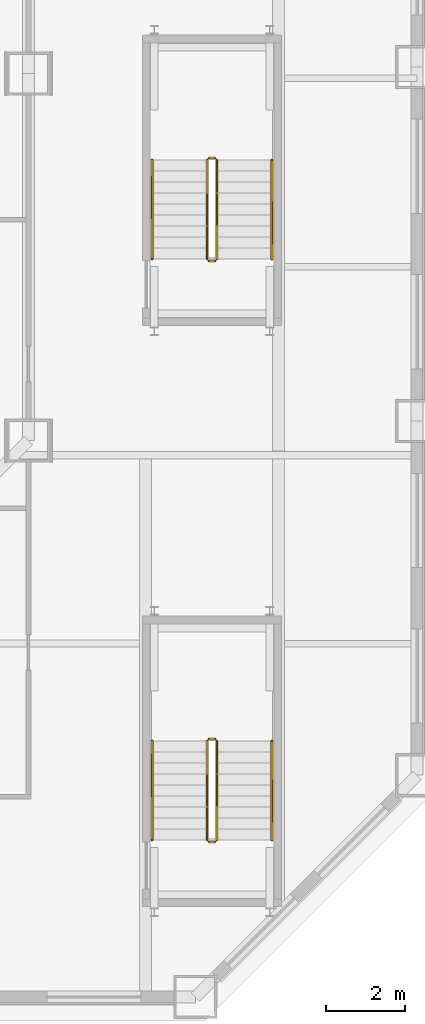
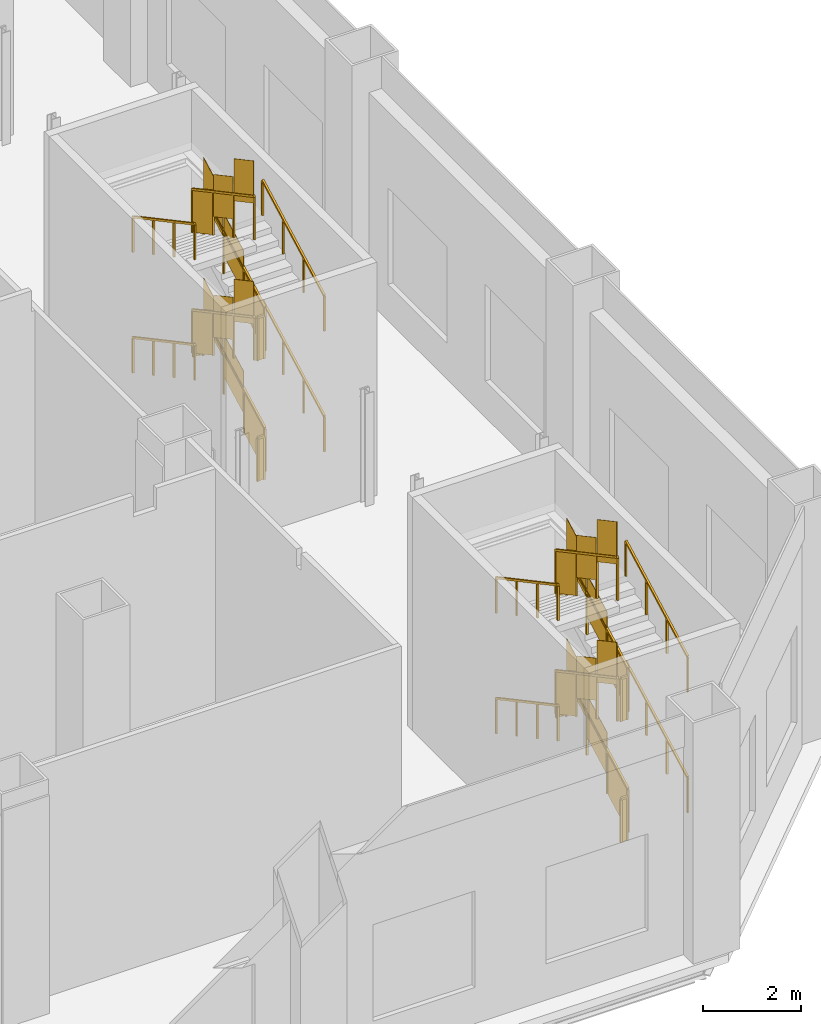
# One storey, part 29 of 31: 23 railings.
"""IFC4 building model written with IfcOpenShell, lengths in metres."""

from ifc_helpers import new_model, si_unit, direction, frame, origin, origin_2d, place, context, subcontext, project, spatial, polyline, rectangle, outline, extrude, material, type_object, element, save


model = new_model("IFC4")

# Units and contexts
model_context = context("Model", 3, precision=1e-05, world=origin(), true_north=direction((0.0, 1.0)))
body_context = subcontext(model_context, "Body", "Model", "MODEL_VIEW")
ifc_project = project(units=[si_unit("LENGTHUNIT", "METRE"), si_unit("AREAUNIT", "SQUARE_METRE"), si_unit("VOLUMEUNIT", "CUBIC_METRE"), si_unit("PLANEANGLEUNIT", "RADIAN"), si_unit("MASSUNIT", "GRAM", prefix="KILO")], contexts=[model_context])

# Site, building, storey
site_placement = place(None, origin())
site = spatial("IfcSite", under=ifc_project, at=site_placement, CompositionType="ELEMENT")
building_placement = place(site_placement, origin())
building = spatial("IfcBuilding", under=site, at=building_placement, Name="Cairn Pilgrim Tower", CompositionType="ELEMENT")
storey_placement = place(building_placement, frame((0.0, 0.0, 15.0)))
storey = spatial("IfcBuildingStorey", under=building, at=storey_placement, Name="L02", CompositionType="ELEMENT", Elevation=15.0)

# Railings
ifc_material = material(Name="Painted steel", Category="steel")
railing_type_1 = type_object("IfcRailingType", Name="PODIUM STAIR GUARD 1100", PredefinedType="GUARDRAIL", material=ifc_material)
railing_1_placement = place(storey_placement, frame((32.699951171875, -24.199951171875, 0.14990234375)))
element("IfcRailing", 1, at=railing_1_placement, inside=storey, type_object=railing_type_1, Name="L02 ST-ES1 stair guard 1", PredefinedType="GUARDRAIL", context=body_context, shape_type="SweptSolid", body=[
    extrude(rectangle(XDim=0.048095703125, YDim=0.048095703125, at=origin_2d()), frame((0.0, 0.0, 1.076171875), z_axis=(0.0, 0.881467274426, 0.472245110209), x_axis=(-1.0, 0.0, 0.0)), (0.0, 0.0, 1.0), 2.85888671875),
    extrude(rectangle(XDim=0.0419921875, YDim=0.0419921875, at=origin_2d()), origin(), (0.0, 0.0, 1.0), 1.052001953125),
    extrude(rectangle(XDim=0.0419921875, YDim=0.0419921875, at=origin_2d()), frame((0.0, 0.840087890625, 0.449951171875)), (0.0, 0.0, 1.0), 1.052001953125),
    extrude(rectangle(XDim=0.0419921875, YDim=0.0419921875, at=origin_2d()), frame((0.0, 1.679931640625, 0.900146484375)), (0.0, 0.0, 1.0), 1.052001953125),
    extrude(rectangle(XDim=0.0419921875, YDim=0.0419921875, at=origin_2d()), frame((0.0, 2.52001953125, 1.35009765625)), (0.0, 0.0, 1.0), 1.052001953125),
    extrude(outline(polyline([(0.02099609375, 0.01123046875), (0.819091796875, 0.438720703125), (0.819091796875, 1.49072265625), (0.02099609375, 1.063232421875), (0.02099609375, 0.01123046875)])), frame((-0.005859375, 0.0, 0.0), z_axis=(1.0, 0.0, 0.0), x_axis=(0.0, 1.0, 0.0)), (0.0, 0.0, 1.0), 0.011962890625),
    extrude(outline(polyline([(0.02099609375, 0.461181640625), (0.819091796875, 0.888916015625), (0.819091796875, 1.94091796875), (0.02099609375, 1.51318359375), (0.02099609375, 0.461181640625)])), frame((-0.005859375, 0.840087890625, 0.449951171875), z_axis=(1.0, 0.0, 0.0), x_axis=(0.0, 1.0, 0.0)), (0.0, 0.0, 1.0), 0.011962890625),
    extrude(outline(polyline([(0.02099609375, 0.911376953125), (0.819091796875, 1.3388671875), (0.819091796875, 2.390869140625), (0.02099609375, 1.96337890625), (0.02099609375, 0.911376953125)])), frame((-0.005859375, 1.679931640625, 0.900146484375), z_axis=(1.0, 0.0, 0.0), x_axis=(0.0, 1.0, 0.0)), (0.0, 0.0, 1.0), 0.011962890625),
])
railing_2_placement = place(storey_placement, frame((32.64990234375, -21.6298828125, 1.5)))
element("IfcRailing", 2, at=railing_2_placement, inside=storey, type_object=railing_type_1, Name="L02 ST-ES1 stair guard 2", PredefinedType="GUARDRAIL", context=body_context, shape_type="SweptSolid", body=[
    extrude(rectangle(XDim=0.048095703125, YDim=0.048095703125, at=origin_2d()), frame((0.0, 0.0, 1.076171875), z_axis=(-1.0, 0.0, 0.0), x_axis=(0.0, -1.0, 0.0)), (0.0, 0.0, 1.0), 0.14990234375),
    extrude(rectangle(XDim=0.0419921875, YDim=0.0419921875, at=origin_2d()), origin(), (0.0, 0.0, 1.0), 1.052001953125),
    extrude(rectangle(XDim=0.0419921875, YDim=0.0419921875, at=origin_2d()), frame((-0.14990234375, 0.0, 0.0)), (0.0, 0.0, 1.0), 1.052001953125),
    extrude(outline(polyline([(0.02099609375, 0.0), (0.12890625, 0.0), (0.12890625, 1.052001953125), (0.02099609375, 1.052001953125), (0.02099609375, 0.0)])), frame((0.0, -0.005859375, 0.0), z_axis=(0.0, 1.0, 0.0), x_axis=(-1.0, 0.0, 0.0)), (0.0, 0.0, 1.0), 0.011962890625),
])
railing_3_placement = place(storey_placement, frame((32.449951171875, -21.679931640625, 1.64990234375)))
element("IfcRailing", 3, at=railing_3_placement, inside=storey, type_object=railing_type_1, Name="L02 ST-ES1 stair guard 3", PredefinedType="GUARDRAIL", context=body_context, shape_type="SweptSolid", body=[
    extrude(rectangle(XDim=0.048095703125, YDim=0.048095703125, at=origin_2d()), frame((0.0, 0.0, 1.076171875), z_axis=(0.0, -0.881467274426, 0.472245110209), x_axis=(1.0, 0.0, 0.0)), (0.0, 0.0, 1.0), 2.85888671875),
    extrude(rectangle(XDim=0.0419921875, YDim=0.0419921875, at=origin_2d()), origin(), (0.0, 0.0, 1.0), 1.052001953125),
    extrude(rectangle(XDim=0.0419921875, YDim=0.0419921875, at=origin_2d()), frame((0.0, -0.840087890625, 0.449951171875)), (0.0, 0.0, 1.0), 1.052001953125),
    extrude(rectangle(XDim=0.0419921875, YDim=0.0419921875, at=origin_2d()), frame((0.0, -1.679931640625, 0.900146484375)), (0.0, 0.0, 1.0), 1.052001953125),
    extrude(rectangle(XDim=0.0419921875, YDim=0.0419921875, at=origin_2d()), frame((0.0, -2.52001953125, 1.35009765625)), (0.0, 0.0, 1.0), 1.052001953125),
    extrude(outline(polyline([(0.02099609375, 0.01123046875), (0.819091796875, 0.438720703125), (0.819091796875, 1.49072265625), (0.02099609375, 1.063232421875), (0.02099609375, 0.01123046875)])), frame((0.005859375, 0.0, 0.0), z_axis=(-1.0, 0.0, 0.0), x_axis=(0.0, -1.0, 0.0)), (0.0, 0.0, 1.0), 0.011962890625),
    extrude(outline(polyline([(0.02099609375, 0.461181640625), (0.819091796875, 0.888916015625), (0.819091796875, 1.94091796875), (0.02099609375, 1.51318359375), (0.02099609375, 0.461181640625)])), frame((0.005859375, -0.840087890625, 0.449951171875), z_axis=(-1.0, 0.0, 0.0), x_axis=(0.0, -1.0, 0.0)), (0.0, 0.0, 1.0), 0.011962890625),
    extrude(outline(polyline([(0.02099609375, 0.911376953125), (0.819091796875, 1.3388671875), (0.819091796875, 2.390869140625), (0.02099609375, 1.96337890625), (0.02099609375, 0.911376953125)])), frame((0.005859375, -1.679931640625, 0.900146484375), z_axis=(-1.0, 0.0, 0.0), x_axis=(0.0, -1.0, 0.0)), (0.0, 0.0, 1.0), 0.011962890625),
])
railing_4_placement = place(storey_placement, frame((32.64990234375, -24.25, 3.0)))
element("IfcRailing", 4, at=railing_4_placement, inside=storey, type_object=railing_type_1, Name="L02 ST-ES1 stair guard 4", PredefinedType="GUARDRAIL", context=body_context, shape_type="SweptSolid", body=[
    extrude(rectangle(XDim=0.048095703125, YDim=0.048095703125, at=origin_2d()), frame((0.0, 0.0, 1.076171875), z_axis=(-1.0, 0.0, 0.0), x_axis=(0.0, -1.0, 0.0)), (0.0, 0.0, 1.0), 0.14990234375),
    extrude(rectangle(XDim=0.0419921875, YDim=0.0419921875, at=origin_2d()), origin(), (0.0, 0.0, 1.0), 1.052001953125),
    extrude(rectangle(XDim=0.0419921875, YDim=0.0419921875, at=origin_2d()), frame((-0.14990234375, 0.0, 0.0)), (0.0, 0.0, 1.0), 1.052001953125),
    extrude(outline(polyline([(0.02099609375, 0.0), (0.12890625, 0.0), (0.12890625, 1.052001953125), (0.02099609375, 1.052001953125), (0.02099609375, 0.0)])), frame((0.0, -0.005859375, 0.0), z_axis=(0.0, 1.0, 0.0), x_axis=(-1.0, 0.0, 0.0)), (0.0, 0.0, 1.0), 0.011962890625),
])
railing_5_placement = place(storey_placement, frame((32.699951171875, -24.199951171875, 3.14990234375)))
element("IfcRailing", 5, at=railing_5_placement, inside=storey, type_object=railing_type_1, Name="L02 ST-ES1 stair guard 5", PredefinedType="GUARDRAIL", context=body_context, shape_type="SweptSolid", body=[
    extrude(rectangle(XDim=0.048095703125, YDim=0.048095703125, at=origin_2d()), frame((0.0, 0.0, 1.076171875), z_axis=(0.0, 0.881467274426, 0.472245110209), x_axis=(-1.0, 0.0, 0.0)), (0.0, 0.0, 1.0), 2.85888671875),
    extrude(rectangle(XDim=0.0419921875, YDim=0.0419921875, at=origin_2d()), origin(), (0.0, 0.0, 1.0), 1.052001953125),
    extrude(rectangle(XDim=0.0419921875, YDim=0.0419921875, at=origin_2d()), frame((0.0, 0.840087890625, 0.449951171875)), (0.0, 0.0, 1.0), 1.052001953125),
    extrude(rectangle(XDim=0.0419921875, YDim=0.0419921875, at=origin_2d()), frame((0.0, 1.679931640625, 0.900146484375)), (0.0, 0.0, 1.0), 1.052001953125),
    extrude(rectangle(XDim=0.0419921875, YDim=0.0419921875, at=origin_2d()), frame((0.0, 2.52001953125, 1.35009765625)), (0.0, 0.0, 1.0), 1.052001953125),
    extrude(outline(polyline([(0.02099609375, 0.01123046875), (0.819091796875, 0.438720703125), (0.819091796875, 1.49072265625), (0.02099609375, 1.063232421875), (0.02099609375, 0.01123046875)])), frame((-0.005859375, 0.0, 0.0), z_axis=(1.0, 0.0, 0.0), x_axis=(0.0, 1.0, 0.0)), (0.0, 0.0, 1.0), 0.011962890625),
    extrude(outline(polyline([(0.02099609375, 0.461181640625), (0.819091796875, 0.888916015625), (0.819091796875, 1.94091796875), (0.02099609375, 1.51318359375), (0.02099609375, 0.461181640625)])), frame((-0.005859375, 0.840087890625, 0.449951171875), z_axis=(1.0, 0.0, 0.0), x_axis=(0.0, 1.0, 0.0)), (0.0, 0.0, 1.0), 0.011962890625),
    extrude(outline(polyline([(0.02099609375, 0.911376953125), (0.819091796875, 1.3388671875), (0.819091796875, 2.390869140625), (0.02099609375, 1.96337890625), (0.02099609375, 0.911376953125)])), frame((-0.005859375, 1.679931640625, 0.900146484375), z_axis=(1.0, 0.0, 0.0), x_axis=(0.0, 1.0, 0.0)), (0.0, 0.0, 1.0), 0.011962890625),
])
railing_6_placement = place(storey_placement, frame((32.64990234375, -21.6298828125, 4.5)))
element("IfcRailing", 6, at=railing_6_placement, inside=storey, type_object=railing_type_1, Name="L02 ST-ES1 stair guard 6", PredefinedType="GUARDRAIL", context=body_context, shape_type="SweptSolid", body=[
    extrude(rectangle(XDim=0.048095703125, YDim=0.048095703125, at=origin_2d()), frame((0.0, 0.0, 1.076171875), z_axis=(-1.0, 0.0, 0.0), x_axis=(0.0, -1.0, 0.0)), (0.0, 0.0, 1.0), 0.14990234375),
    extrude(rectangle(XDim=0.0419921875, YDim=0.0419921875, at=origin_2d()), origin(), (0.0, 0.0, 1.0), 1.052001953125),
    extrude(rectangle(XDim=0.0419921875, YDim=0.0419921875, at=origin_2d()), frame((-0.14990234375, 0.0, 0.0)), (0.0, 0.0, 1.0), 1.052001953125),
    extrude(outline(polyline([(0.02099609375, 0.0), (0.12890625, 0.0), (0.12890625, 1.052001953125), (0.02099609375, 1.052001953125), (0.02099609375, 0.0)])), frame((0.0, -0.005859375, 0.0), z_axis=(0.0, 1.0, 0.0), x_axis=(-1.0, 0.0, 0.0)), (0.0, 0.0, 1.0), 0.011962890625),
])
railing_7_placement = place(storey_placement, frame((32.449951171875, -21.679931640625, 4.64990234375)))
element("IfcRailing", 7, at=railing_7_placement, inside=storey, type_object=railing_type_1, Name="L02 ST-ES1 stair guard 7", PredefinedType="GUARDRAIL", context=body_context, shape_type="SweptSolid", body=[
    extrude(rectangle(XDim=0.048095703125, YDim=0.048095703125, at=origin_2d()), frame((0.0, 0.0, 1.076171875), z_axis=(0.0, -0.881467274426, 0.472245110209), x_axis=(1.0, 0.0, 0.0)), (0.0, 0.0, 1.0), 2.85888671875),
    extrude(rectangle(XDim=0.0419921875, YDim=0.0419921875, at=origin_2d()), origin(), (0.0, 0.0, 1.0), 1.052001953125),
    extrude(rectangle(XDim=0.0419921875, YDim=0.0419921875, at=origin_2d()), frame((0.0, -0.840087890625, 0.449951171875)), (0.0, 0.0, 1.0), 1.052001953125),
    extrude(rectangle(XDim=0.0419921875, YDim=0.0419921875, at=origin_2d()), frame((0.0, -1.679931640625, 0.900146484375)), (0.0, 0.0, 1.0), 1.052001953125),
    extrude(rectangle(XDim=0.0419921875, YDim=0.0419921875, at=origin_2d()), frame((0.0, -2.52001953125, 1.35009765625)), (0.0, 0.0, 1.0), 1.052001953125),
    extrude(outline(polyline([(0.02099609375, 0.01123046875), (0.819091796875, 0.438720703125), (0.819091796875, 1.49072265625), (0.02099609375, 1.063232421875), (0.02099609375, 0.01123046875)])), frame((0.005859375, 0.0, 0.0), z_axis=(-1.0, 0.0, 0.0), x_axis=(0.0, -1.0, 0.0)), (0.0, 0.0, 1.0), 0.011962890625),
    extrude(outline(polyline([(0.02099609375, 0.461181640625), (0.819091796875, 0.888916015625), (0.819091796875, 1.94091796875), (0.02099609375, 1.51318359375), (0.02099609375, 0.461181640625)])), frame((0.005859375, -0.840087890625, 0.449951171875), z_axis=(-1.0, 0.0, 0.0), x_axis=(0.0, -1.0, 0.0)), (0.0, 0.0, 1.0), 0.011962890625),
    extrude(outline(polyline([(0.02099609375, 0.911376953125), (0.819091796875, 1.3388671875), (0.819091796875, 2.390869140625), (0.02099609375, 1.96337890625), (0.02099609375, 0.911376953125)])), frame((0.005859375, -1.679931640625, 0.900146484375), z_axis=(-1.0, 0.0, 0.0), x_axis=(0.0, -1.0, 0.0)), (0.0, 0.0, 1.0), 0.011962890625),
])
railing_8_placement = place(storey_placement, frame((32.64990234375, -24.25, 0.0)))
element("IfcRailing", 8, at=railing_8_placement, inside=storey, type_object=railing_type_1, Name="L02 ST-ES1 stair guard 8", PredefinedType="GUARDRAIL", context=body_context, shape_type="SweptSolid", body=[
    extrude(rectangle(XDim=0.048095703125, YDim=0.048095703125, at=origin_2d()), frame((0.0, 0.0, 1.076171875), z_axis=(-1.0, 0.0, 0.0), x_axis=(0.0, -1.0, 0.0)), (0.0, 0.0, 1.0), 0.14990234375),
    extrude(rectangle(XDim=0.0419921875, YDim=0.0419921875, at=origin_2d()), origin(), (0.0, 0.0, 1.0), 1.052001953125),
    extrude(rectangle(XDim=0.0419921875, YDim=0.0419921875, at=origin_2d()), frame((-0.14990234375, 0.0, 0.0)), (0.0, 0.0, 1.0), 1.052001953125),
    extrude(outline(polyline([(0.02099609375, 0.0), (0.12890625, 0.0), (0.12890625, 1.052001953125), (0.02099609375, 1.052001953125), (0.02099609375, 0.0)])), frame((0.0, -0.005859375, 0.0), z_axis=(0.0, 1.0, 0.0), x_axis=(-1.0, 0.0, 0.0)), (0.0, 0.0, 1.0), 0.011962890625),
])
railing_9_placement = place(storey_placement, frame((32.699951171875, -9.39990234375, 0.14990234375)))
element("IfcRailing", 9, at=railing_9_placement, inside=storey, type_object=railing_type_1, Name="L02 ST-ES2 stair guard 1", PredefinedType="GUARDRAIL", context=body_context, shape_type="SweptSolid", body=[
    extrude(rectangle(XDim=0.048095703125, YDim=0.048095703125, at=origin_2d()), frame((0.0, 0.0, 1.076171875), z_axis=(0.0, 0.881467274426, 0.472245110209), x_axis=(-1.0, 0.0, 0.0)), (0.0, 0.0, 1.0), 2.85888671875),
    extrude(rectangle(XDim=0.0419921875, YDim=0.0419921875, at=origin_2d()), origin(), (0.0, 0.0, 1.0), 1.052001953125),
    extrude(rectangle(XDim=0.0419921875, YDim=0.0419921875, at=origin_2d()), frame((0.0, 0.840087890625, 0.449951171875)), (0.0, 0.0, 1.0), 1.052001953125),
    extrude(rectangle(XDim=0.0419921875, YDim=0.0419921875, at=origin_2d()), frame((0.0, 1.679931640625, 0.900146484375)), (0.0, 0.0, 1.0), 1.052001953125),
    extrude(rectangle(XDim=0.0419921875, YDim=0.0419921875, at=origin_2d()), frame((0.0, 2.52001953125, 1.35009765625)), (0.0, 0.0, 1.0), 1.052001953125),
    extrude(outline(polyline([(0.02099609375, 0.01123046875), (0.819091796875, 0.438720703125), (0.819091796875, 1.49072265625), (0.02099609375, 1.063232421875), (0.02099609375, 0.01123046875)])), frame((-0.005859375, 0.0, 0.0), z_axis=(1.0, 0.0, 0.0), x_axis=(0.0, 1.0, 0.0)), (0.0, 0.0, 1.0), 0.011962890625),
    extrude(outline(polyline([(0.02099609375, 0.461181640625), (0.819091796875, 0.888916015625), (0.819091796875, 1.94091796875), (0.02099609375, 1.51318359375), (0.02099609375, 0.461181640625)])), frame((-0.005859375, 0.840087890625, 0.449951171875), z_axis=(1.0, 0.0, 0.0), x_axis=(0.0, 1.0, 0.0)), (0.0, 0.0, 1.0), 0.011962890625),
    extrude(outline(polyline([(0.02099609375, 0.911376953125), (0.819091796875, 1.3388671875), (0.819091796875, 2.390869140625), (0.02099609375, 1.96337890625), (0.02099609375, 0.911376953125)])), frame((-0.005859375, 1.679931640625, 0.900146484375), z_axis=(1.0, 0.0, 0.0), x_axis=(0.0, 1.0, 0.0)), (0.0, 0.0, 1.0), 0.011962890625),
])
railing_10_placement = place(storey_placement, frame((32.64990234375, -6.830078125, 1.5)))
element("IfcRailing", 10, at=railing_10_placement, inside=storey, type_object=railing_type_1, Name="L02 ST-ES2 stair guard 2", PredefinedType="GUARDRAIL", context=body_context, shape_type="SweptSolid", body=[
    extrude(rectangle(XDim=0.048095703125, YDim=0.048095703125, at=origin_2d()), frame((0.0, 0.0, 1.076171875), z_axis=(-1.0, 0.0, 0.0), x_axis=(0.0, -1.0, 0.0)), (0.0, 0.0, 1.0), 0.14990234375),
    extrude(rectangle(XDim=0.0419921875, YDim=0.0419921875, at=origin_2d()), origin(), (0.0, 0.0, 1.0), 1.052001953125),
    extrude(rectangle(XDim=0.0419921875, YDim=0.0419921875, at=origin_2d()), frame((-0.14990234375, 0.0, 0.0)), (0.0, 0.0, 1.0), 1.052001953125),
    extrude(outline(polyline([(0.02099609375, 0.0), (0.12890625, 0.0), (0.12890625, 1.052001953125), (0.02099609375, 1.052001953125), (0.02099609375, 0.0)])), frame((0.0, -0.005859375, 0.0), z_axis=(0.0, 1.0, 0.0), x_axis=(-1.0, 0.0, 0.0)), (0.0, 0.0, 1.0), 0.011962890625),
])
railing_11_placement = place(storey_placement, frame((32.449951171875, -6.8798828125, 1.64990234375)))
element("IfcRailing", 11, at=railing_11_placement, inside=storey, type_object=railing_type_1, Name="L02 ST-ES2 stair guard 3", PredefinedType="GUARDRAIL", context=body_context, shape_type="SweptSolid", body=[
    extrude(rectangle(XDim=0.048095703125, YDim=0.048095703125, at=origin_2d()), frame((0.0, 0.0, 1.076171875), z_axis=(0.0, -0.881467274426, 0.472245110209), x_axis=(1.0, 0.0, 0.0)), (0.0, 0.0, 1.0), 2.85888671875),
    extrude(rectangle(XDim=0.0419921875, YDim=0.0419921875, at=origin_2d()), origin(), (0.0, 0.0, 1.0), 1.052001953125),
    extrude(rectangle(XDim=0.0419921875, YDim=0.0419921875, at=origin_2d()), frame((0.0, -0.840087890625, 0.449951171875)), (0.0, 0.0, 1.0), 1.052001953125),
    extrude(rectangle(XDim=0.0419921875, YDim=0.0419921875, at=origin_2d()), frame((0.0, -1.679931640625, 0.900146484375)), (0.0, 0.0, 1.0), 1.052001953125),
    extrude(rectangle(XDim=0.0419921875, YDim=0.0419921875, at=origin_2d()), frame((0.0, -2.52001953125, 1.35009765625)), (0.0, 0.0, 1.0), 1.052001953125),
    extrude(outline(polyline([(0.02099609375, 0.01123046875), (0.819091796875, 0.438720703125), (0.819091796875, 1.49072265625), (0.02099609375, 1.063232421875), (0.02099609375, 0.01123046875)])), frame((0.005859375, 0.0, 0.0), z_axis=(-1.0, 0.0, 0.0), x_axis=(0.0, -1.0, 0.0)), (0.0, 0.0, 1.0), 0.011962890625),
    extrude(outline(polyline([(0.02099609375, 0.461181640625), (0.819091796875, 0.888916015625), (0.819091796875, 1.94091796875), (0.02099609375, 1.51318359375), (0.02099609375, 0.461181640625)])), frame((0.005859375, -0.840087890625, 0.449951171875), z_axis=(-1.0, 0.0, 0.0), x_axis=(0.0, -1.0, 0.0)), (0.0, 0.0, 1.0), 0.011962890625),
    extrude(outline(polyline([(0.02099609375, 0.911376953125), (0.819091796875, 1.3388671875), (0.819091796875, 2.390869140625), (0.02099609375, 1.96337890625), (0.02099609375, 0.911376953125)])), frame((0.005859375, -1.679931640625, 0.900146484375), z_axis=(-1.0, 0.0, 0.0), x_axis=(0.0, -1.0, 0.0)), (0.0, 0.0, 1.0), 0.011962890625),
])
railing_12_placement = place(storey_placement, frame((32.64990234375, -9.449951171875, 3.0)))
element("IfcRailing", 12, at=railing_12_placement, inside=storey, type_object=railing_type_1, Name="L02 ST-ES2 stair guard 4", PredefinedType="GUARDRAIL", context=body_context, shape_type="SweptSolid", body=[
    extrude(rectangle(XDim=0.048095703125, YDim=0.048095703125, at=origin_2d()), frame((0.0, 0.0, 1.076171875), z_axis=(-1.0, 0.0, 0.0), x_axis=(0.0, -1.0, 0.0)), (0.0, 0.0, 1.0), 0.14990234375),
    extrude(rectangle(XDim=0.0419921875, YDim=0.0419921875, at=origin_2d()), origin(), (0.0, 0.0, 1.0), 1.052001953125),
    extrude(rectangle(XDim=0.0419921875, YDim=0.0419921875, at=origin_2d()), frame((-0.14990234375, 0.0, 0.0)), (0.0, 0.0, 1.0), 1.052001953125),
    extrude(outline(polyline([(0.02099609375, 0.0), (0.12890625, 0.0), (0.12890625, 1.052001953125), (0.02099609375, 1.052001953125), (0.02099609375, 0.0)])), frame((0.0, -0.005859375, 0.0), z_axis=(0.0, 1.0, 0.0), x_axis=(-1.0, 0.0, 0.0)), (0.0, 0.0, 1.0), 0.011962890625),
])
railing_13_placement = place(storey_placement, frame((32.699951171875, -9.39990234375, 3.14990234375)))
element("IfcRailing", 13, at=railing_13_placement, inside=storey, type_object=railing_type_1, Name="L02 ST-ES2 stair guard 5", PredefinedType="GUARDRAIL", context=body_context, shape_type="SweptSolid", body=[
    extrude(rectangle(XDim=0.048095703125, YDim=0.048095703125, at=origin_2d()), frame((0.0, 0.0, 1.076171875), z_axis=(0.0, 0.881467274426, 0.472245110209), x_axis=(-1.0, 0.0, 0.0)), (0.0, 0.0, 1.0), 2.85888671875),
    extrude(rectangle(XDim=0.0419921875, YDim=0.0419921875, at=origin_2d()), origin(), (0.0, 0.0, 1.0), 1.052001953125),
    extrude(rectangle(XDim=0.0419921875, YDim=0.0419921875, at=origin_2d()), frame((0.0, 0.840087890625, 0.449951171875)), (0.0, 0.0, 1.0), 1.052001953125),
    extrude(rectangle(XDim=0.0419921875, YDim=0.0419921875, at=origin_2d()), frame((0.0, 1.679931640625, 0.900146484375)), (0.0, 0.0, 1.0), 1.052001953125),
    extrude(rectangle(XDim=0.0419921875, YDim=0.0419921875, at=origin_2d()), frame((0.0, 2.52001953125, 1.35009765625)), (0.0, 0.0, 1.0), 1.052001953125),
    extrude(outline(polyline([(0.02099609375, 0.01123046875), (0.819091796875, 0.438720703125), (0.819091796875, 1.49072265625), (0.02099609375, 1.063232421875), (0.02099609375, 0.01123046875)])), frame((-0.005859375, 0.0, 0.0), z_axis=(1.0, 0.0, 0.0), x_axis=(0.0, 1.0, 0.0)), (0.0, 0.0, 1.0), 0.011962890625),
    extrude(outline(polyline([(0.02099609375, 0.461181640625), (0.819091796875, 0.888916015625), (0.819091796875, 1.94091796875), (0.02099609375, 1.51318359375), (0.02099609375, 0.461181640625)])), frame((-0.005859375, 0.840087890625, 0.449951171875), z_axis=(1.0, 0.0, 0.0), x_axis=(0.0, 1.0, 0.0)), (0.0, 0.0, 1.0), 0.011962890625),
    extrude(outline(polyline([(0.02099609375, 0.911376953125), (0.819091796875, 1.3388671875), (0.819091796875, 2.390869140625), (0.02099609375, 1.96337890625), (0.02099609375, 0.911376953125)])), frame((-0.005859375, 1.679931640625, 0.900146484375), z_axis=(1.0, 0.0, 0.0), x_axis=(0.0, 1.0, 0.0)), (0.0, 0.0, 1.0), 0.011962890625),
])
railing_14_placement = place(storey_placement, frame((32.449951171875, -6.8798828125, 4.64990234375)))
element("IfcRailing", 14, at=railing_14_placement, inside=storey, type_object=railing_type_1, Name="L02 ST-ES2 stair guard 7", PredefinedType="GUARDRAIL", context=body_context, shape_type="SweptSolid", body=[
    extrude(rectangle(XDim=0.048095703125, YDim=0.048095703125, at=origin_2d()), frame((0.0, 0.0, 1.076171875), z_axis=(0.0, -0.881467274426, 0.472245110209), x_axis=(1.0, 0.0, 0.0)), (0.0, 0.0, 1.0), 2.85888671875),
    extrude(rectangle(XDim=0.0419921875, YDim=0.0419921875, at=origin_2d()), origin(), (0.0, 0.0, 1.0), 1.052001953125),
    extrude(rectangle(XDim=0.0419921875, YDim=0.0419921875, at=origin_2d()), frame((0.0, -0.840087890625, 0.449951171875)), (0.0, 0.0, 1.0), 1.052001953125),
    extrude(rectangle(XDim=0.0419921875, YDim=0.0419921875, at=origin_2d()), frame((0.0, -1.679931640625, 0.900146484375)), (0.0, 0.0, 1.0), 1.052001953125),
    extrude(rectangle(XDim=0.0419921875, YDim=0.0419921875, at=origin_2d()), frame((0.0, -2.52001953125, 1.35009765625)), (0.0, 0.0, 1.0), 1.052001953125),
    extrude(outline(polyline([(0.02099609375, 0.01123046875), (0.819091796875, 0.438720703125), (0.819091796875, 1.49072265625), (0.02099609375, 1.063232421875), (0.02099609375, 0.01123046875)])), frame((0.005859375, 0.0, 0.0), z_axis=(-1.0, 0.0, 0.0), x_axis=(0.0, -1.0, 0.0)), (0.0, 0.0, 1.0), 0.011962890625),
    extrude(outline(polyline([(0.02099609375, 0.461181640625), (0.819091796875, 0.888916015625), (0.819091796875, 1.94091796875), (0.02099609375, 1.51318359375), (0.02099609375, 0.461181640625)])), frame((0.005859375, -0.840087890625, 0.449951171875), z_axis=(-1.0, 0.0, 0.0), x_axis=(0.0, -1.0, 0.0)), (0.0, 0.0, 1.0), 0.011962890625),
    extrude(outline(polyline([(0.02099609375, 0.911376953125), (0.819091796875, 1.3388671875), (0.819091796875, 2.390869140625), (0.02099609375, 1.96337890625), (0.02099609375, 0.911376953125)])), frame((0.005859375, -1.679931640625, 0.900146484375), z_axis=(-1.0, 0.0, 0.0), x_axis=(0.0, -1.0, 0.0)), (0.0, 0.0, 1.0), 0.011962890625),
])
railing_15_placement = place(storey_placement, frame((32.64990234375, -9.449951171875, 0.0)))
element("IfcRailing", 15, at=railing_15_placement, inside=storey, type_object=railing_type_1, Name="L02 ST-ES2 stair guard 8", PredefinedType="GUARDRAIL", context=body_context, shape_type="SweptSolid", body=[
    extrude(rectangle(XDim=0.048095703125, YDim=0.048095703125, at=origin_2d()), frame((0.0, 0.0, 1.076171875), z_axis=(-1.0, 0.0, 0.0), x_axis=(0.0, -1.0, 0.0)), (0.0, 0.0, 1.0), 0.14990234375),
    extrude(rectangle(XDim=0.0419921875, YDim=0.0419921875, at=origin_2d()), origin(), (0.0, 0.0, 1.0), 1.052001953125),
    extrude(rectangle(XDim=0.0419921875, YDim=0.0419921875, at=origin_2d()), frame((-0.14990234375, 0.0, 0.0)), (0.0, 0.0, 1.0), 1.052001953125),
    extrude(outline(polyline([(0.02099609375, 0.0), (0.12890625, 0.0), (0.12890625, 1.052001953125), (0.02099609375, 1.052001953125), (0.02099609375, 0.0)])), frame((0.0, -0.005859375, 0.0), z_axis=(0.0, 1.0, 0.0), x_axis=(-1.0, 0.0, 0.0)), (0.0, 0.0, 1.0), 0.011962890625),
])
railing_type_2 = type_object("IfcRailingType", Name="PODIUM STAIR HANDRAIL 900", PredefinedType="HANDRAIL", material=ifc_material)
railing_16_placement = place(storey_placement, frame((34.10009765625, -24.199951171875, 0.14990234375)))
element("IfcRailing", 16, at=railing_16_placement, inside=storey, type_object=railing_type_2, Name="L02 ST-ES1 stair handrail 1", PredefinedType="HANDRAIL", context=body_context, shape_type="SweptSolid", body=[
    extrude(rectangle(XDim=0.048095703125, YDim=0.048095703125, at=origin_2d()), frame((0.0, 0.0, 0.8759765625), z_axis=(0.0, 0.881467274426, 0.472245110209), x_axis=(-1.0, 0.0, 0.0)), (0.0, 0.0, 1.0), 2.85888671875),
    extrude(rectangle(XDim=0.0419921875, YDim=0.0419921875, at=origin_2d()), origin(), (0.0, 0.0, 1.0), 0.851806640625),
    extrude(rectangle(XDim=0.0419921875, YDim=0.0419921875, at=origin_2d()), frame((0.0, 0.840087890625, 0.449951171875)), (0.0, 0.0, 1.0), 0.851806640625),
    extrude(rectangle(XDim=0.0419921875, YDim=0.0419921875, at=origin_2d()), frame((0.0, 1.679931640625, 0.900146484375)), (0.0, 0.0, 1.0), 0.851806640625),
    extrude(rectangle(XDim=0.0419921875, YDim=0.0419921875, at=origin_2d()), frame((0.0, 2.52001953125, 1.35009765625)), (0.0, 0.0, 1.0), 0.851806640625),
])
railing_17_placement = place(storey_placement, frame((31.050048828125, -21.679931640625, 1.64990234375)))
element("IfcRailing", 17, at=railing_17_placement, inside=storey, type_object=railing_type_2, Name="L02 ST-ES1 stair handrail 2", PredefinedType="HANDRAIL", context=body_context, shape_type="SweptSolid", body=[
    extrude(rectangle(XDim=0.048095703125, YDim=0.048095703125, at=origin_2d()), frame((0.0, 0.0, 0.8759765625), z_axis=(0.0, -0.881467274426, 0.472245110209), x_axis=(1.0, 0.0, 0.0)), (0.0, 0.0, 1.0), 2.85888671875),
    extrude(rectangle(XDim=0.0419921875, YDim=0.0419921875, at=origin_2d()), origin(), (0.0, 0.0, 1.0), 0.851806640625),
    extrude(rectangle(XDim=0.0419921875, YDim=0.0419921875, at=origin_2d()), frame((0.0, -0.840087890625, 0.449951171875)), (0.0, 0.0, 1.0), 0.851806640625),
    extrude(rectangle(XDim=0.0419921875, YDim=0.0419921875, at=origin_2d()), frame((0.0, -1.679931640625, 0.900146484375)), (0.0, 0.0, 1.0), 0.851806640625),
    extrude(rectangle(XDim=0.0419921875, YDim=0.0419921875, at=origin_2d()), frame((0.0, -2.52001953125, 1.35009765625)), (0.0, 0.0, 1.0), 0.851806640625),
])
railing_18_placement = place(storey_placement, frame((34.10009765625, -24.199951171875, 3.14990234375)))
element("IfcRailing", 18, at=railing_18_placement, inside=storey, type_object=railing_type_2, Name="L02 ST-ES1 stair handrail 3", PredefinedType="HANDRAIL", context=body_context, shape_type="SweptSolid", body=[
    extrude(rectangle(XDim=0.048095703125, YDim=0.048095703125, at=origin_2d()), frame((0.0, 0.0, 0.8759765625), z_axis=(0.0, 0.881467274426, 0.472245110209), x_axis=(-1.0, 0.0, 0.0)), (0.0, 0.0, 1.0), 2.85888671875),
    extrude(rectangle(XDim=0.0419921875, YDim=0.0419921875, at=origin_2d()), origin(), (0.0, 0.0, 1.0), 0.851806640625),
    extrude(rectangle(XDim=0.0419921875, YDim=0.0419921875, at=origin_2d()), frame((0.0, 0.840087890625, 0.449951171875)), (0.0, 0.0, 1.0), 0.851806640625),
    extrude(rectangle(XDim=0.0419921875, YDim=0.0419921875, at=origin_2d()), frame((0.0, 1.679931640625, 0.900146484375)), (0.0, 0.0, 1.0), 0.851806640625),
    extrude(rectangle(XDim=0.0419921875, YDim=0.0419921875, at=origin_2d()), frame((0.0, 2.52001953125, 1.35009765625)), (0.0, 0.0, 1.0), 0.851806640625),
])
railing_19_placement = place(storey_placement, frame((31.050048828125, -21.679931640625, 4.64990234375)))
element("IfcRailing", 19, at=railing_19_placement, inside=storey, type_object=railing_type_2, Name="L02 ST-ES1 stair handrail 4", PredefinedType="HANDRAIL", context=body_context, shape_type="SweptSolid", body=[
    extrude(rectangle(XDim=0.048095703125, YDim=0.048095703125, at=origin_2d()), frame((0.0, 0.0, 0.8759765625), z_axis=(0.0, -0.881467274426, 0.472245110209), x_axis=(1.0, 0.0, 0.0)), (0.0, 0.0, 1.0), 2.85888671875),
    extrude(rectangle(XDim=0.0419921875, YDim=0.0419921875, at=origin_2d()), origin(), (0.0, 0.0, 1.0), 0.851806640625),
    extrude(rectangle(XDim=0.0419921875, YDim=0.0419921875, at=origin_2d()), frame((0.0, -0.840087890625, 0.449951171875)), (0.0, 0.0, 1.0), 0.851806640625),
    extrude(rectangle(XDim=0.0419921875, YDim=0.0419921875, at=origin_2d()), frame((0.0, -1.679931640625, 0.900146484375)), (0.0, 0.0, 1.0), 0.851806640625),
    extrude(rectangle(XDim=0.0419921875, YDim=0.0419921875, at=origin_2d()), frame((0.0, -2.52001953125, 1.35009765625)), (0.0, 0.0, 1.0), 0.851806640625),
])
railing_20_placement = place(storey_placement, frame((34.10009765625, -9.39990234375, 0.14990234375)))
element("IfcRailing", 20, at=railing_20_placement, inside=storey, type_object=railing_type_2, Name="L02 ST-ES2 stair handrail 1", PredefinedType="HANDRAIL", context=body_context, shape_type="SweptSolid", body=[
    extrude(rectangle(XDim=0.048095703125, YDim=0.048095703125, at=origin_2d()), frame((0.0, 0.0, 0.8759765625), z_axis=(0.0, 0.881467274426, 0.472245110209), x_axis=(-1.0, 0.0, 0.0)), (0.0, 0.0, 1.0), 2.85888671875),
    extrude(rectangle(XDim=0.0419921875, YDim=0.0419921875, at=origin_2d()), origin(), (0.0, 0.0, 1.0), 0.851806640625),
    extrude(rectangle(XDim=0.0419921875, YDim=0.0419921875, at=origin_2d()), frame((0.0, 0.840087890625, 0.449951171875)), (0.0, 0.0, 1.0), 0.851806640625),
    extrude(rectangle(XDim=0.0419921875, YDim=0.0419921875, at=origin_2d()), frame((0.0, 1.679931640625, 0.900146484375)), (0.0, 0.0, 1.0), 0.851806640625),
    extrude(rectangle(XDim=0.0419921875, YDim=0.0419921875, at=origin_2d()), frame((0.0, 2.52001953125, 1.35009765625)), (0.0, 0.0, 1.0), 0.851806640625),
])
railing_21_placement = place(storey_placement, frame((31.050048828125, -6.8798828125, 1.64990234375)))
element("IfcRailing", 21, at=railing_21_placement, inside=storey, type_object=railing_type_2, Name="L02 ST-ES2 stair handrail 2", PredefinedType="HANDRAIL", context=body_context, shape_type="SweptSolid", body=[
    extrude(rectangle(XDim=0.048095703125, YDim=0.048095703125, at=origin_2d()), frame((0.0, 0.0, 0.8759765625), z_axis=(0.0, -0.881467274426, 0.472245110209), x_axis=(1.0, 0.0, 0.0)), (0.0, 0.0, 1.0), 2.85888671875),
    extrude(rectangle(XDim=0.0419921875, YDim=0.0419921875, at=origin_2d()), origin(), (0.0, 0.0, 1.0), 0.851806640625),
    extrude(rectangle(XDim=0.0419921875, YDim=0.0419921875, at=origin_2d()), frame((0.0, -0.840087890625, 0.449951171875)), (0.0, 0.0, 1.0), 0.851806640625),
    extrude(rectangle(XDim=0.0419921875, YDim=0.0419921875, at=origin_2d()), frame((0.0, -1.679931640625, 0.900146484375)), (0.0, 0.0, 1.0), 0.851806640625),
    extrude(rectangle(XDim=0.0419921875, YDim=0.0419921875, at=origin_2d()), frame((0.0, -2.52001953125, 1.35009765625)), (0.0, 0.0, 1.0), 0.851806640625),
])
railing_22_placement = place(storey_placement, frame((34.10009765625, -9.39990234375, 3.14990234375)))
element("IfcRailing", 22, at=railing_22_placement, inside=storey, type_object=railing_type_2, Name="L02 ST-ES2 stair handrail 3", PredefinedType="HANDRAIL", context=body_context, shape_type="SweptSolid", body=[
    extrude(rectangle(XDim=0.048095703125, YDim=0.048095703125, at=origin_2d()), frame((0.0, 0.0, 0.8759765625), z_axis=(0.0, 0.881467274426, 0.472245110209), x_axis=(-1.0, 0.0, 0.0)), (0.0, 0.0, 1.0), 2.85888671875),
    extrude(rectangle(XDim=0.0419921875, YDim=0.0419921875, at=origin_2d()), origin(), (0.0, 0.0, 1.0), 0.851806640625),
    extrude(rectangle(XDim=0.0419921875, YDim=0.0419921875, at=origin_2d()), frame((0.0, 0.840087890625, 0.449951171875)), (0.0, 0.0, 1.0), 0.851806640625),
    extrude(rectangle(XDim=0.0419921875, YDim=0.0419921875, at=origin_2d()), frame((0.0, 1.679931640625, 0.900146484375)), (0.0, 0.0, 1.0), 0.851806640625),
    extrude(rectangle(XDim=0.0419921875, YDim=0.0419921875, at=origin_2d()), frame((0.0, 2.52001953125, 1.35009765625)), (0.0, 0.0, 1.0), 0.851806640625),
])
railing_23_placement = place(storey_placement, frame((31.050048828125, -6.8798828125, 4.64990234375)))
element("IfcRailing", 23, at=railing_23_placement, inside=storey, type_object=railing_type_2, Name="L02 ST-ES2 stair handrail 4", PredefinedType="HANDRAIL", context=body_context, shape_type="SweptSolid", body=[
    extrude(rectangle(XDim=0.048095703125, YDim=0.048095703125, at=origin_2d()), frame((0.0, 0.0, 0.8759765625), z_axis=(0.0, -0.881467274426, 0.472245110209), x_axis=(1.0, 0.0, 0.0)), (0.0, 0.0, 1.0), 2.85888671875),
    extrude(rectangle(XDim=0.0419921875, YDim=0.0419921875, at=origin_2d()), origin(), (0.0, 0.0, 1.0), 0.851806640625),
    extrude(rectangle(XDim=0.0419921875, YDim=0.0419921875, at=origin_2d()), frame((0.0, -0.840087890625, 0.449951171875)), (0.0, 0.0, 1.0), 0.851806640625),
    extrude(rectangle(XDim=0.0419921875, YDim=0.0419921875, at=origin_2d()), frame((0.0, -1.679931640625, 0.900146484375)), (0.0, 0.0, 1.0), 0.851806640625),
    extrude(rectangle(XDim=0.0419921875, YDim=0.0419921875, at=origin_2d()), frame((0.0, -2.52001953125, 1.35009765625)), (0.0, 0.0, 1.0), 0.851806640625),
])

save(model, "model.ifc")
